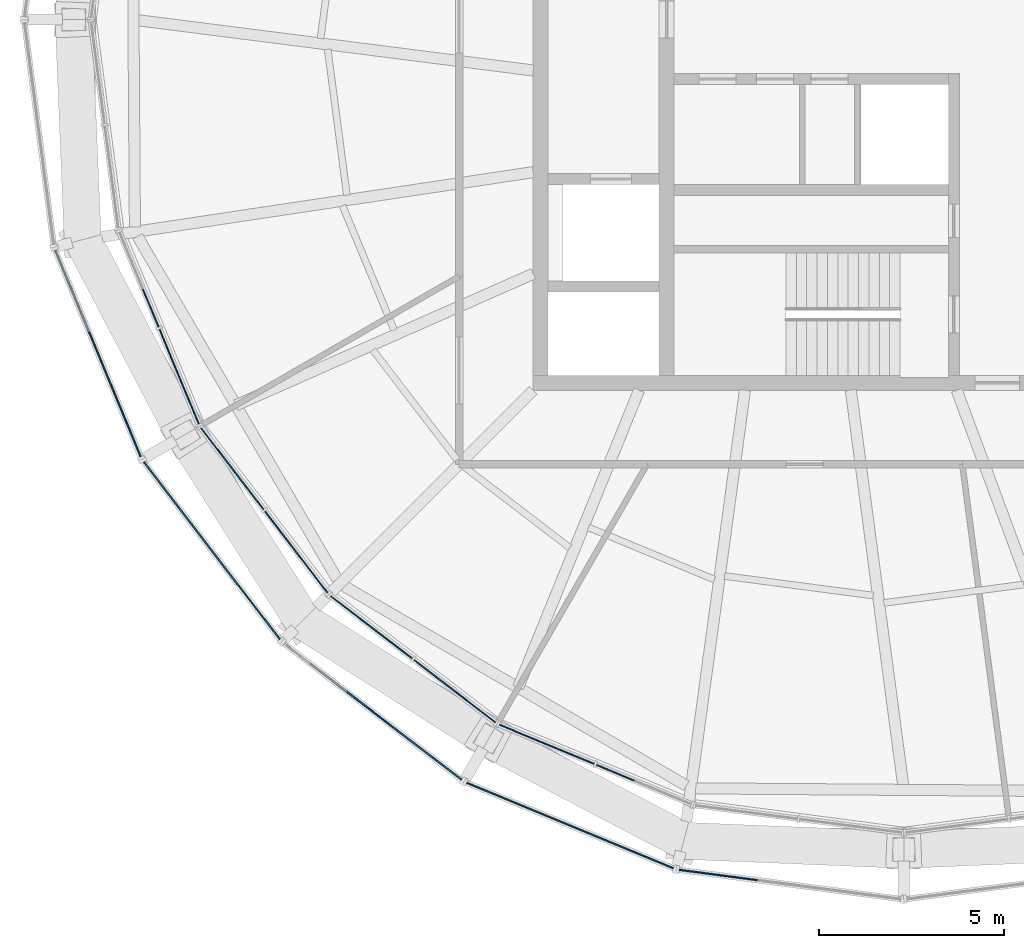
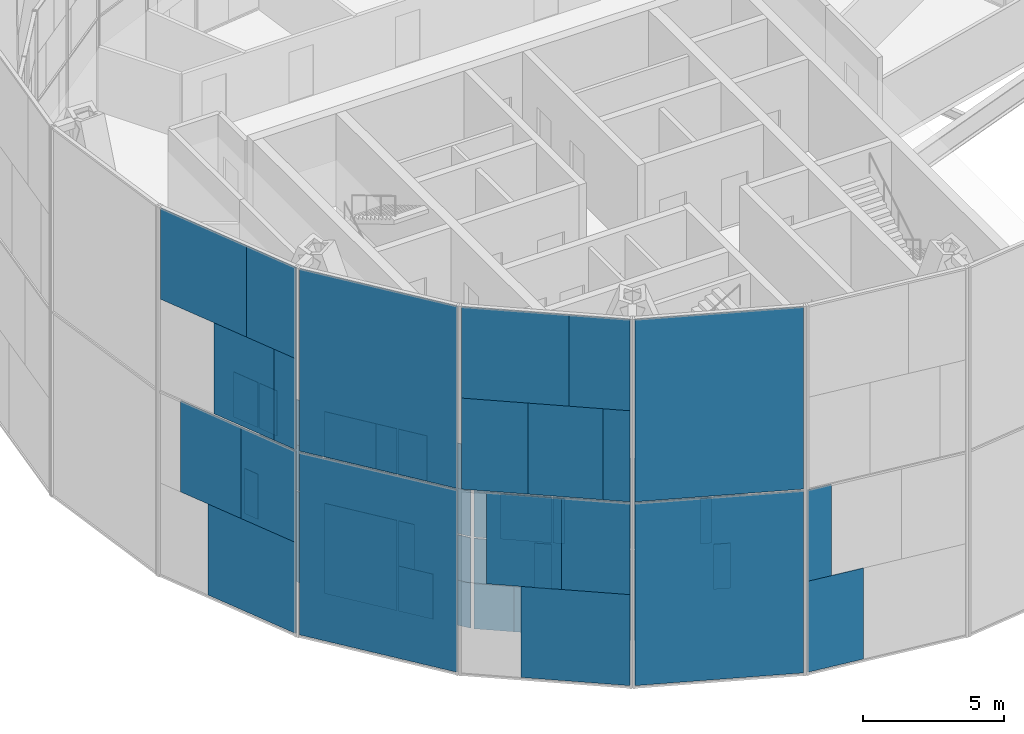
# One storey, part 10 of 22: 61 plates, 9 elements without a shape of their own.
"""IFC4 building model written with IfcOpenShell, lengths in metres."""

import ifcopenshell
import ifcopenshell.guid

model = None  # the IFC model being written
_history = None  # IfcOwnerHistory: only IFC2X3 demands one
_inside = {}  # id of a spatial element -> (the spatial element, [elements in it])
_under = {}  # id of a project, library or spatial element -> (it, [spatial elements below it])
_declared = {}  # id of a project -> (the project, [libraries it declares])
_typed = {}  # id of a type object -> (the type object, [elements of that type])
_made_of = {}  # id of a material, layer set ... -> (it, [elements and type objects made of it])


def new_model(schema):
    """Start an empty IFC model of exactly this schema.

    Asked for "IFC4X3", IfcOpenShell would pick the latest addendum, in which some entities
    have other attributes; the version numbers below select the first issue.
    IFC2X3 requires an IfcOwnerHistory on every rooted entity: one is made here for all.
    """
    global model, _history
    if schema == "IFC4X3":
        model = ifcopenshell.file(schema_version=(4, 3, 0, 0))
    else:
        model = ifcopenshell.file(schema=schema)
    _inside.clear()
    _under.clear()
    _declared.clear()
    _typed.clear()
    _made_of.clear()
    _history = None
    if model.schema == "IFC2X3":
        org = make("IfcOrganization", Name="unknown")
        user = make(
            "IfcPersonAndOrganization",
            ThePerson=make("IfcPerson", FamilyName="unknown"),
            TheOrganization=org,
        )
        app = make(
            "IfcApplication",
            ApplicationDeveloper=org,
            Version="unknown",
            ApplicationFullName="unknown",
            ApplicationIdentifier="unknown",
        )
        _history = make(
            "IfcOwnerHistory",
            OwningUser=user,
            OwningApplication=app,
            ChangeAction="ADDED",
            CreationDate=0,
        )
    return model


def make(cls, **values):
    """One entity of the class cls with the attributes given. An attribute that is None is left unset."""
    return model.create_entity(
        cls, **{name: value for name, value in values.items() if value is not None}
    )


def rooted(cls, **values):
    """An entity with a GlobalId (a new one), such as an element, a storey or a relation."""
    return make(cls, GlobalId=ifcopenshell.guid.new(), OwnerHistory=_history, **values)


def si_unit(unit_type, name, prefix=None):
    """IfcSIUnit, for example si_unit("LENGTHUNIT", "METRE", prefix="MILLI")."""
    return make("IfcSIUnit", UnitType=unit_type, Prefix=prefix, Name=name)


def assignment(units):
    """IfcUnitAssignment: the units of a project."""
    return None if units is None else make("IfcUnitAssignment", Units=units)


def point(xyz):
    """IfcCartesianPoint."""
    return None if xyz is None else make("IfcCartesianPoint", Coordinates=xyz)


def direction(xyz):
    """IfcDirection."""
    return None if xyz is None else make("IfcDirection", DirectionRatios=xyz)


def frame(location, z_axis=None, x_axis=None):
    """IfcAxis2Placement3D, a coordinate frame: its origin and axes. An axis left out is left unset."""
    return make(
        "IfcAxis2Placement3D",
        Location=point(location),
        Axis=direction(z_axis),
        RefDirection=direction(x_axis),
    )


def frame_2d(location, x_axis=None):
    """IfcAxis2Placement2D, a coordinate frame in the plane: its origin and x axis."""
    return make(
        "IfcAxis2Placement2D", Location=point(location), RefDirection=direction(x_axis)
    )


def origin():
    """The frame at (0, 0, 0) with its axes left unset."""
    return frame((0.0, 0.0, 0.0))


def origin_2d():
    """The frame at (0, 0) in the plane with its x axis left unset."""
    return frame_2d((0.0, 0.0))


def place(relative_to, where):
    """IfcLocalPlacement: puts the frame where relative to a parent placement (None: the world)."""
    return make(
        "IfcLocalPlacement", PlacementRelTo=relative_to, RelativePlacement=where
    )


def context(
    kind, dimensions, precision=None, world=None, true_north=None, identifier=None
):
    """IfcGeometricRepresentationContext, for example the 3D "Model" context."""
    return make(
        "IfcGeometricRepresentationContext",
        ContextIdentifier=identifier,
        ContextType=kind,
        CoordinateSpaceDimension=dimensions,
        Precision=precision,
        WorldCoordinateSystem=world,
        TrueNorth=true_north,
    )


def subcontext(parent, identifier, kind, view, scale=None):
    """IfcGeometricRepresentationSubContext, for example "Body" below "Model"."""
    return make(
        "IfcGeometricRepresentationSubContext",
        ContextIdentifier=identifier,
        ContextType=kind,
        ParentContext=parent,
        TargetScale=scale,
        TargetView=view,
    )


def project(units=None, contexts=None):
    """IfcProject with its units and contexts."""
    return rooted(
        "IfcProject",
        Name="project",
        RepresentationContexts=contexts,
        UnitsInContext=assignment(units),
    )


def spatial(cls, under=None, at=None, **own):
    """A site, building, storey or space (cls), placed at a placement, below another one or the project."""
    s = rooted(cls, ObjectPlacement=at, **own)
    if under is not None:
        _under.setdefault(under.id(), (under, []))[1].append(s)
    return s


def profile(cls, at=None, kind="AREA", **sizes):
    """A parametric profile (cls). Its sizes go by their IFC names, for example OverallWidth=200.0."""
    return make(cls, ProfileType=kind, Position=at, **sizes)


def rectangle(**sizes):
    """IfcRectangleProfileDef."""
    return profile("IfcRectangleProfileDef", **sizes)


def extrude(swept, where, along, depth):
    """IfcExtrudedAreaSolid: the profile swept, set in the frame where, extruded along a direction by depth."""
    return make(
        "IfcExtrudedAreaSolid",
        SweptArea=swept,
        Position=where,
        ExtrudedDirection=direction(along),
        Depth=depth,
    )


def shape(context_of_items, identifier, shape_type, items):
    """IfcShapeRepresentation: the items that make up one representation, for example the "Body"."""
    return make(
        "IfcShapeRepresentation",
        ContextOfItems=context_of_items,
        RepresentationIdentifier=identifier,
        RepresentationType=shape_type,
        Items=items,
    )


def material(Name=None, Category=None):
    """IfcMaterial."""
    return make("IfcMaterial", Name=Name, Category=Category)


def layer(
    of_material, thickness, ventilated=None, Name=None, Category=None, Priority=None
):
    """IfcMaterialLayer: one layer of a wall or slab, of a material (None: an air gap)."""
    return make(
        "IfcMaterialLayer",
        Material=of_material,
        LayerThickness=thickness,
        IsVentilated=ventilated,
        Name=Name,
        Category=Category,
        Priority=Priority,
    )


def layer_set(layers, Name=None):
    """IfcMaterialLayerSet."""
    return make("IfcMaterialLayerSet", MaterialLayers=layers, LayerSetName=Name)


def made_of(thing, what):
    """Note that an element or type object is made of a material, layer set ...; save() writes the relation."""
    if what is not None:
        _made_of.setdefault(what.id(), (what, []))[1].append(thing)
    return thing


def type_object(cls, material=None, **own):
    """A type object (cls), such as IfcWallType, which elements share."""
    return made_of(rooted(cls, **own), material)


def element(
    cls,
    number,
    at=None,
    inside=None,
    cuts=None,
    type_object=None,
    material=None,
    context=None,
    identifier="Body",
    shape_type=None,
    held_by="IfcProductDefinitionShape",
    body=None,
    shapes=None,
    **own,
):
    """One element of the class cls, such as IfcWall. Its Tag is "e" and its number.

    at: its placement. inside: the storey or other place that contains it. cuts: it is an
    opening in that element (IfcRelVoidsElement). A single representation is given by context,
    identifier, shape_type and body (its items); several are given by shapes. held_by: the class
    of the entity that holds the representations. save() writes the other relations.
    """
    e = rooted(cls, Tag="e%d" % number, ObjectPlacement=at, **own)
    if body is not None:
        shapes = [shape(context, identifier, shape_type, body)]
    if shapes is not None:
        e.Representation = make(held_by, Representations=shapes)
    if inside is not None:
        _inside.setdefault(inside.id(), (inside, []))[1].append(e)
    if cuts is not None:
        rooted(
            "IfcRelVoidsElement", RelatingBuildingElement=cuts, RelatedOpeningElement=e
        )
    if type_object is not None:
        _typed.setdefault(type_object.id(), (type_object, []))[1].append(e)
    return made_of(e, material)


def aggregate(whole, parts):
    """IfcRelAggregates: a whole, such as a stair, and the parts it consists of."""
    return rooted("IfcRelAggregates", RelatingObject=whole, RelatedObjects=parts)


def save(model, path):
    """Write the relations noted so far, then the file.

    IfcRelAggregates (storeys below a building ...), IfcRelContainedInSpatialStructure (elements
    in a storey), IfcRelDefinesByType, IfcRelAssociatesMaterial and IfcRelDeclares: one each for
    every whole, place, type object, material and project.
    """
    for whole, parts in _under.values():
        aggregate(whole, parts)
    for where, things in _inside.values():
        rooted(
            "IfcRelContainedInSpatialStructure",
            RelatedElements=things,
            RelatingStructure=where,
        )
    for kind, things in _typed.values():
        rooted("IfcRelDefinesByType", RelatedObjects=things, RelatingType=kind)
    for what, things in _made_of.values():
        rooted("IfcRelAssociatesMaterial", RelatedObjects=things, RelatingMaterial=what)
    for by, libraries in _declared.values():
        rooted("IfcRelDeclares", RelatingContext=by, RelatedDefinitions=libraries)
    model.write(path)


model = new_model("IFC4")

# Units and contexts
model_context = context("Model", 3, precision=1e-05, world=origin(), true_north=direction((0.0, 1.0)))
body_context = subcontext(model_context, "Body", "Model", "MODEL_VIEW")
ifc_project = project(units=[si_unit("LENGTHUNIT", "METRE"), si_unit("AREAUNIT", "SQUARE_METRE"), si_unit("VOLUMEUNIT", "CUBIC_METRE"), si_unit("PLANEANGLEUNIT", "RADIAN"), si_unit("MASSUNIT", "GRAM", prefix="KILO")], contexts=[model_context])

# Site, building, storey
site_placement = place(None, origin())
site = spatial("IfcSite", under=ifc_project, at=site_placement, CompositionType="ELEMENT")
building_placement = place(site_placement, origin())
building = spatial("IfcBuilding", under=site, at=building_placement, Name="Golbaran Civic Tower", CompositionType="ELEMENT")
storey_placement = place(building_placement, frame((0.0, 0.0, 264.0)))
storey = spatial("IfcBuildingStorey", under=building, at=storey_placement, Name="L64", CompositionType="ELEMENT", Elevation=264.0)

# Curtain wall, plates
ifc_material_1 = material(Name="Aluminium and glass", Category="aluminium")
curtain_wall_type_1 = type_object("IfcCurtainWallType", Name="INNER SKIN CURTAIN WALL EXECUTIVE", PredefinedType="NOTDEFINED", material=ifc_material_1)
curtain_wall_1_placement = place(storey_placement, origin())
curtain_wall_1 = element("IfcCurtainWall", 1, at=curtain_wall_1_placement, inside=storey, type_object=curtain_wall_type_1, Name="Inner skin L64 facet 14 CW2", ObjectType="INNER SKIN", PredefinedType="USERDEFINED")
ifc_material_2 = material(Name="Clear insulating glass", Category="glass")
ifc_layer_1 = layer(ifc_material_2, 0.031982421875, Name="Clear insulating glass")
ifc_layer_set_1 = layer_set([ifc_layer_1], Name="Clear insulating glass")
plate_type_1 = type_object("IfcPlateType", Name="INNER SKIN CURTAIN WALL EXECUTIVE GLAZED PANEL", PredefinedType="CURTAIN_PANEL", material=ifc_layer_set_1)
plate_1_placement = place(storey_placement, frame((-20.22509765625, -8.01123046875, 2.014892578125), z_axis=(0.0, 0.0, 1.0), x_axis=(0.382683432349, -0.923879532518, 0.0)))
plate_1 = element("IfcPlate", 2, at=plate_1_placement, type_object=plate_type_1, Name="CW2 panel 1.1 part 4", PredefinedType="CURTAIN_PANEL", context=body_context, shape_type="SweptSolid", body=[
    extrude(rectangle(XDim=0.61669921875, YDim=0.031982421875, at=origin_2d()), origin(), (0.0, 0.0, 1.0), 1.955078125),
])
plate_2_placement = place(storey_placement, frame((-19.553466796875, -9.6328125, 0.06005859375), z_axis=(0.0, 0.0, 1.0), x_axis=(0.382683432349, -0.923879532518, 0.0)))
plate_2 = element("IfcPlate", 3, at=plate_2_placement, type_object=plate_type_1, Name="CW2 panel 2.1", PredefinedType="CURTAIN_PANEL", context=body_context, shape_type="SweptSolid", body=[
    extrude(rectangle(XDim=2.773681640625, YDim=0.031982421875, at=origin_2d()), origin(), (0.0, 0.0, 1.0), 3.909912109375),
])
plate_3_placement = place(storey_placement, frame((-19.4765625, -9.818115234375, 4.030029296875), z_axis=(0.0, 0.0, 1.0), x_axis=(0.382683432349, -0.923879532518, 0.0)))
plate_3 = element("IfcPlate", 4, at=plate_3_placement, type_object=plate_type_1, Name="CW2 panel 2.2 part 2", PredefinedType="CURTAIN_PANEL", context=body_context, shape_type="SweptSolid", body=[
    extrude(rectangle(XDim=2.37255859375, YDim=0.031982421875, at=origin_2d()), origin(), (0.0, 0.0, 1.0), 1.955078125),
])
plate_4_placement = place(storey_placement, frame((-19.40185546875, -9.998779296875, 5.98486328125), z_axis=(0.0, 0.0, 1.0), x_axis=(0.382683432349, -0.923879532518, 0.0)))
plate_4 = element("IfcPlate", 5, at=plate_4_placement, type_object=plate_type_1, Name="CW2 panel 2.2 part 4", PredefinedType="CURTAIN_PANEL", context=body_context, shape_type="SweptSolid", body=[
    extrude(rectangle(XDim=1.981689453125, YDim=0.031982421875, at=origin_2d()), origin(), (0.0, 0.0, 1.0), 1.955078125),
])

curtain_wall_2_placement = place(storey_placement, origin())
curtain_wall_2 = element("IfcCurtainWall", 6, at=curtain_wall_2_placement, inside=storey, type_object=curtain_wall_type_1, Name="Inner skin L64 facet 15 CW2", ObjectType="INNER SKIN", PredefinedType="USERDEFINED")
plate_5_placement = place(storey_placement, frame((-18.118896484375, -12.117431640625, 0.06005859375), z_axis=(0.0, 0.0, 1.0), x_axis=(0.608761429133, -0.793353340196, 0.0)))
plate_5 = element("IfcPlate", 7, at=plate_5_placement, type_object=plate_type_1, Name="CW2 panel 1.1", PredefinedType="CURTAIN_PANEL", context=body_context, shape_type="SweptSolid", body=[
    extrude(rectangle(XDim=2.773681640625, YDim=0.031982421875, at=origin_2d()), origin(), (0.0, 0.0, 1.0), 3.909912109375),
])
plate_6_placement = place(storey_placement, frame((-18.2412109375, -11.9580078125, 4.030029296875), z_axis=(0.0, 0.0, 1.0), x_axis=(0.608761429133, -0.793353340196, 0.0)))
plate_6 = element("IfcPlate", 8, at=plate_6_placement, type_object=plate_type_1, Name="CW2 panel 1.2 part 1", PredefinedType="CURTAIN_PANEL", context=body_context, shape_type="SweptSolid", body=[
    extrude(rectangle(XDim=2.3720703125, YDim=0.031982421875, at=origin_2d()), origin(), (0.0, 0.0, 1.0), 1.955078125),
])
plate_7_placement = place(storey_placement, frame((-18.35986328125, -11.80322265625, 5.98486328125), z_axis=(0.0, 0.0, 1.0), x_axis=(0.608761429133, -0.793353340196, 0.0)))
plate_7 = element("IfcPlate", 9, at=plate_7_placement, type_object=plate_type_1, Name="CW2 panel 1.2 part 3", PredefinedType="CURTAIN_PANEL", context=body_context, shape_type="SweptSolid", body=[
    extrude(rectangle(XDim=1.98193359375, YDim=0.031982421875, at=origin_2d()), origin(), (0.0, 0.0, 1.0), 1.955078125),
])
plate_8_placement = place(storey_placement, frame((-16.830322265625, -13.796630859375, 0.06005859375), z_axis=(0.0, 0.0, 1.0), x_axis=(0.608761429133, -0.793353340196, 0.0)))
plate_8 = element("IfcPlate", 10, at=plate_8_placement, type_object=plate_type_1, Name="CW2 panel 2.1 part 1", PredefinedType="CURTAIN_PANEL", context=body_context, shape_type="SweptSolid", body=[
    extrude(rectangle(XDim=1.340087890625, YDim=0.031982421875, at=origin_2d()), origin(), (0.0, 0.0, 1.0), 1.955078125),
])
plate_9_placement = place(storey_placement, frame((-17.05078125, -13.509521484375, 2.014892578125), z_axis=(0.0, 0.0, 1.0), x_axis=(0.608761429133, -0.793353340196, 0.0)))
plate_9 = element("IfcPlate", 11, at=plate_9_placement, type_object=plate_type_1, Name="CW2 panel 2.1 part 3", PredefinedType="CURTAIN_PANEL", context=body_context, shape_type="SweptSolid", body=[
    extrude(rectangle(XDim=0.615966796875, YDim=0.031982421875, at=origin_2d()), origin(), (0.0, 0.0, 1.0), 1.955078125),
])
plate_10_placement = place(storey_placement, frame((-15.837890625, -15.090087890625, 4.030029296875), z_axis=(0.0, 0.0, 1.0), x_axis=(0.608761429133, -0.793353340196, 0.0)))
plate_10 = element("IfcPlate", 12, at=plate_10_placement, type_object=plate_type_1, Name="CW2 panel 2.2 part 2", PredefinedType="CURTAIN_PANEL", context=body_context, shape_type="SweptSolid", body=[
    extrude(rectangle(XDim=0.946533203125, YDim=0.031982421875, at=origin_2d()), origin(), (0.0, 0.0, 1.0), 1.955078125),
])
plate_11_placement = place(storey_placement, frame((-16.057861328125, -14.80322265625, 5.98486328125), z_axis=(0.0, 0.0, 1.0), x_axis=(0.608761429133, -0.793353340196, 0.0)))
plate_11 = element("IfcPlate", 13, at=plate_11_placement, type_object=plate_type_1, Name="CW2 panel 2.2 part 4", PredefinedType="CURTAIN_PANEL", context=body_context, shape_type="SweptSolid", body=[
    extrude(rectangle(XDim=1.669677734375, YDim=0.031982421875, at=origin_2d()), origin(), (0.0, 0.0, 1.0), 1.955078125),
])

curtain_wall_3_placement = place(storey_placement, origin())
curtain_wall_3 = element("IfcCurtainWall", 14, at=curtain_wall_3_placement, inside=storey, type_object=curtain_wall_type_1, Name="Inner skin L64 facet 16 CW2", ObjectType="INNER SKIN", PredefinedType="USERDEFINED")
plate_12_placement = place(storey_placement, frame((-13.796630859375, -16.83056640625, 0.06005859375), z_axis=(0.0, 0.0, 1.0), x_axis=(0.793353340196, -0.608761429133, 0.0)))
plate_12 = element("IfcPlate", 15, at=plate_12_placement, type_object=plate_type_1, Name="CW2 panel 1.1 part 2", PredefinedType="CURTAIN_PANEL", context=body_context, shape_type="SweptSolid", body=[
    extrude(rectangle(XDim=1.339599609375, YDim=0.031982421875, at=origin_2d()), origin(), (0.0, 0.0, 1.0), 1.955078125),
])
plate_13_placement = place(storey_placement, frame((-13.509765625, -17.050537109375, 2.014892578125), z_axis=(0.0, 0.0, 1.0), x_axis=(0.793353340196, -0.608761429133, 0.0)))
plate_13 = element("IfcPlate", 16, at=plate_13_placement, type_object=plate_type_1, Name="CW2 panel 1.1 part 4", PredefinedType="CURTAIN_PANEL", context=body_context, shape_type="SweptSolid", body=[
    extrude(rectangle(XDim=0.61669921875, YDim=0.031982421875, at=origin_2d()), origin(), (0.0, 0.0, 1.0), 1.955078125),
])
plate_14_placement = place(storey_placement, frame((-15.09033203125, -15.837646484375, 4.030029296875), z_axis=(0.0, 0.0, 1.0), x_axis=(0.793353340196, -0.608761429133, 0.0)))
plate_14 = element("IfcPlate", 17, at=plate_14_placement, type_object=plate_type_1, Name="CW2 panel 1.2 part 1", PredefinedType="CURTAIN_PANEL", context=body_context, shape_type="SweptSolid", body=[
    extrude(rectangle(XDim=0.946044921875, YDim=0.031982421875, at=origin_2d()), origin(), (0.0, 0.0, 1.0), 1.955078125),
])
plate_15_placement = place(storey_placement, frame((-14.803466796875, -16.057861328125, 5.98486328125), z_axis=(0.0, 0.0, 1.0), x_axis=(0.793353340196, -0.608761429133, 0.0)))
plate_15 = element("IfcPlate", 18, at=plate_15_placement, type_object=plate_type_1, Name="CW2 panel 1.2 part 3", PredefinedType="CURTAIN_PANEL", context=body_context, shape_type="SweptSolid", body=[
    extrude(rectangle(XDim=1.6689453125, YDim=0.031982421875, at=origin_2d()), origin(), (0.0, 0.0, 1.0), 1.955078125),
])
plate_16_placement = place(storey_placement, frame((-12.117431640625, -18.118896484375, 0.06005859375), z_axis=(0.0, 0.0, 1.0), x_axis=(0.793353340196, -0.608761429133, 0.0)))
plate_16 = element("IfcPlate", 19, at=plate_16_placement, type_object=plate_type_1, Name="CW2 panel 2.1", PredefinedType="CURTAIN_PANEL", context=body_context, shape_type="SweptSolid", body=[
    extrude(rectangle(XDim=2.773681640625, YDim=0.031982421875, at=origin_2d()), origin(), (0.0, 0.0, 1.0), 3.909912109375),
])
plate_17_placement = place(storey_placement, frame((-11.958251953125, -18.240966796875, 4.030029296875), z_axis=(0.0, 0.0, 1.0), x_axis=(0.793353340196, -0.608761429133, 0.0)))
plate_17 = element("IfcPlate", 20, at=plate_17_placement, type_object=plate_type_1, Name="CW2 panel 2.2 part 2", PredefinedType="CURTAIN_PANEL", context=body_context, shape_type="SweptSolid", body=[
    extrude(rectangle(XDim=2.37255859375, YDim=0.031982421875, at=origin_2d()), origin(), (0.0, 0.0, 1.0), 1.955078125),
])
plate_18_placement = place(storey_placement, frame((-11.80322265625, -18.360107421875, 5.98486328125), z_axis=(0.0, 0.0, 1.0), x_axis=(0.793353340196, -0.608761429133, 0.0)))
plate_18 = element("IfcPlate", 21, at=plate_18_placement, type_object=plate_type_1, Name="CW2 panel 2.2 part 4", PredefinedType="CURTAIN_PANEL", context=body_context, shape_type="SweptSolid", body=[
    extrude(rectangle(XDim=1.981689453125, YDim=0.031982421875, at=origin_2d()), origin(), (0.0, 0.0, 1.0), 1.955078125),
])

curtain_wall_4_placement = place(storey_placement, origin())
curtain_wall_4 = element("IfcCurtainWall", 22, at=curtain_wall_4_placement, inside=storey, type_object=curtain_wall_type_1, Name="Inner skin L64 facet 17 CW2", ObjectType="INNER SKIN", PredefinedType="USERDEFINED")
plate_19_placement = place(storey_placement, frame((-9.6328125, -19.553466796875, 0.06005859375), z_axis=(0.0, 0.0, 1.0), x_axis=(0.923879532518, -0.382683432349, 0.0)))
plate_19 = element("IfcPlate", 23, at=plate_19_placement, type_object=plate_type_1, Name="CW2 panel 1.1", PredefinedType="CURTAIN_PANEL", context=body_context, shape_type="SweptSolid", body=[
    extrude(rectangle(XDim=2.773681640625, YDim=0.031982421875, at=origin_2d()), origin(), (0.0, 0.0, 1.0), 3.909912109375),
])
plate_20_placement = place(storey_placement, frame((-9.818359375, -19.4765625, 4.030029296875), z_axis=(0.0, 0.0, 1.0), x_axis=(0.923879532518, -0.382683432349, 0.0)))
plate_20 = element("IfcPlate", 24, at=plate_20_placement, type_object=plate_type_1, Name="CW2 panel 1.2 part 1", PredefinedType="CURTAIN_PANEL", context=body_context, shape_type="SweptSolid", body=[
    extrude(rectangle(XDim=2.3720703125, YDim=0.031982421875, at=origin_2d()), origin(), (0.0, 0.0, 1.0), 1.955078125),
])
plate_21_placement = place(storey_placement, frame((-9.99853515625, -19.40185546875, 5.98486328125), z_axis=(0.0, 0.0, 1.0), x_axis=(0.923879532518, -0.382683432349, 0.0)))
plate_21 = element("IfcPlate", 25, at=plate_21_placement, type_object=plate_type_1, Name="CW2 panel 1.2 part 3", PredefinedType="CURTAIN_PANEL", context=body_context, shape_type="SweptSolid", body=[
    extrude(rectangle(XDim=1.98193359375, YDim=0.031982421875, at=origin_2d()), origin(), (0.0, 0.0, 1.0), 1.955078125),
])
plate_22_placement = place(storey_placement, frame((-8.011474609375, -20.224853515625, 2.014892578125), z_axis=(0.0, 0.0, 1.0), x_axis=(0.923879532518, -0.382683432349, 0.0)))
plate_22 = element("IfcPlate", 26, at=plate_22_placement, type_object=plate_type_1, Name="CW2 panel 2.1 part 3", PredefinedType="CURTAIN_PANEL", context=body_context, shape_type="SweptSolid", body=[
    extrude(rectangle(XDim=0.615966796875, YDim=0.031982421875, at=origin_2d()), origin(), (0.0, 0.0, 1.0), 1.955078125),
])

# Plate
ifc_material_3 = material(Name="Aluminium faced opaque infill panel", Category="aluminium")
ifc_layer_2 = layer(ifc_material_3, 0.031982421875, Name="Aluminium faced opaque infill panel")
ifc_layer_set_2 = layer_set([ifc_layer_2], Name="Aluminium faced opaque infill panel")
plate_type_2 = type_object("IfcPlateType", Name="INNER SKIN CURTAIN WALL EXECUTIVE OPAQUE INFILL PANEL", PredefinedType="CURTAIN_PANEL", material=ifc_layer_set_2)
plate_23_placement = place(storey_placement, frame((-20.318359375, -7.785888671875, 5.98486328125), z_axis=(0.0, 0.0, 1.0), x_axis=(0.382683432349, -0.923879532518, 0.0)))
plate_23 = element("IfcPlate", 27, at=plate_23_placement, type_object=plate_type_2, Name="CW2 infill panel 1.2 part 4", PredefinedType="CURTAIN_PANEL", context=body_context, shape_type="SweptSolid", body=[
    extrude(rectangle(XDim=1.1044921875, YDim=0.031982421875, at=origin_2d()), origin(), (0.0, 0.0, 1.0), 1.955078125),
])

plate_24_placement = place(storey_placement, frame((-20.00732421875, -8.536865234375, 4.030029296875), z_axis=(0.0, 0.0, 1.0), x_axis=(0.382683432349, -0.923879532518, 0.0)))
plate_24 = element("IfcPlate", 28, at=plate_24_placement, type_object=plate_type_2, Name="CW2 infill panel 2.2 part 1", PredefinedType="CURTAIN_PANEL", context=body_context, shape_type="SweptSolid", body=[
    extrude(rectangle(XDim=0.40087890625, YDim=0.031982421875, at=origin_2d()), origin(), (0.0, 0.0, 1.0), 1.955078125),
])

plate_25_placement = place(storey_placement, frame((-19.9326171875, -8.717529296875, 5.98486328125), z_axis=(0.0, 0.0, 1.0), x_axis=(0.382683432349, -0.923879532518, 0.0)))
plate_25 = element("IfcPlate", 29, at=plate_25_placement, type_object=plate_type_2, Name="CW2 infill panel 2.2 part 3", PredefinedType="CURTAIN_PANEL", context=body_context, shape_type="SweptSolid", body=[
    extrude(rectangle(XDim=0.7919921875, YDim=0.031982421875, at=origin_2d()), origin(), (0.0, 0.0, 1.0), 1.955078125),
])

aggregate(curtain_wall_1, [plate_1, plate_23, plate_2, plate_24, plate_3, plate_25, plate_4])

plate_26_placement = place(storey_placement, frame((-17.39697265625, -13.058349609375, 4.030029296875), z_axis=(0.0, 0.0, 1.0), x_axis=(0.608761429133, -0.793353340196, 0.0)))
plate_26 = element("IfcPlate", 30, at=plate_26_placement, type_object=plate_type_2, Name="CW2 infill panel 1.2 part 2", PredefinedType="CURTAIN_PANEL", context=body_context, shape_type="SweptSolid", body=[
    extrude(rectangle(XDim=0.401611328125, YDim=0.031982421875, at=origin_2d()), origin(), (0.0, 0.0, 1.0), 1.955078125),
])

plate_27_placement = place(storey_placement, frame((-17.515625, -12.903564453125, 5.98486328125), z_axis=(0.0, 0.0, 1.0), x_axis=(0.608761429133, -0.793353340196, 0.0)))
plate_27 = element("IfcPlate", 31, at=plate_27_placement, type_object=plate_type_2, Name="CW2 infill panel 1.2 part 4", PredefinedType="CURTAIN_PANEL", context=body_context, shape_type="SweptSolid", body=[
    extrude(rectangle(XDim=0.79150390625, YDim=0.031982421875, at=origin_2d()), origin(), (0.0, 0.0, 1.0), 1.955078125),
])

plate_28_placement = place(storey_placement, frame((-15.986083984375, -14.89697265625, 0.06005859375), z_axis=(0.0, 0.0, 1.0), x_axis=(0.608761429133, -0.793353340196, 0.0)))
plate_28 = element("IfcPlate", 32, at=plate_28_placement, type_object=plate_type_2, Name="CW2 infill panel 2.1 part 2", PredefinedType="CURTAIN_PANEL", context=body_context, shape_type="SweptSolid", body=[
    extrude(rectangle(XDim=1.43359375, YDim=0.031982421875, at=origin_2d()), origin(), (0.0, 0.0, 1.0), 1.955078125),
])

plate_29_placement = place(storey_placement, frame((-16.20654296875, -14.609619140625, 2.014892578125), z_axis=(0.0, 0.0, 1.0), x_axis=(0.608761429133, -0.793353340196, 0.0)))
plate_29 = element("IfcPlate", 33, at=plate_29_placement, type_object=plate_type_2, Name="CW2 infill panel 2.1 part 4", PredefinedType="CURTAIN_PANEL", context=body_context, shape_type="SweptSolid", body=[
    extrude(rectangle(XDim=2.15771484375, YDim=0.031982421875, at=origin_2d()), origin(), (0.0, 0.0, 1.0), 1.955078125),
])

plate_30_placement = place(storey_placement, frame((-16.68212890625, -13.989990234375, 4.030029296875), z_axis=(0.0, 0.0, 1.0), x_axis=(0.608761429133, -0.793353340196, 0.0)))
plate_30 = element("IfcPlate", 34, at=plate_30_placement, type_object=plate_type_2, Name="CW2 infill panel 2.2 part 1", PredefinedType="CURTAIN_PANEL", context=body_context, shape_type="SweptSolid", body=[
    extrude(rectangle(XDim=1.826904296875, YDim=0.031982421875, at=origin_2d()), origin(), (0.0, 0.0, 1.0), 1.955078125),
])

plate_31_placement = place(storey_placement, frame((-16.902099609375, -13.703125, 5.98486328125), z_axis=(0.0, 0.0, 1.0), x_axis=(0.608761429133, -0.793353340196, 0.0)))
plate_31 = element("IfcPlate", 35, at=plate_31_placement, type_object=plate_type_2, Name="CW2 infill panel 2.2 part 3", PredefinedType="CURTAIN_PANEL", context=body_context, shape_type="SweptSolid", body=[
    extrude(rectangle(XDim=1.10400390625, YDim=0.031982421875, at=origin_2d()), origin(), (0.0, 0.0, 1.0), 1.955078125),
])

aggregate(curtain_wall_2, [plate_5, plate_6, plate_26, plate_7, plate_27, plate_8, plate_28, plate_9, plate_29, plate_30, plate_10, plate_31, plate_11])

plate_32_placement = place(storey_placement, frame((-14.896728515625, -15.986328125, 0.06005859375), z_axis=(0.0, 0.0, 1.0), x_axis=(0.793353340196, -0.608761429133, 0.0)))
plate_32 = element("IfcPlate", 36, at=plate_32_placement, type_object=plate_type_2, Name="CW2 infill panel 1.1 part 1", PredefinedType="CURTAIN_PANEL", context=body_context, shape_type="SweptSolid", body=[
    extrude(rectangle(XDim=1.43408203125, YDim=0.031982421875, at=origin_2d()), origin(), (0.0, 0.0, 1.0), 1.955078125),
])

plate_33_placement = place(storey_placement, frame((-14.60986328125, -16.206298828125, 2.014892578125), z_axis=(0.0, 0.0, 1.0), x_axis=(0.793353340196, -0.608761429133, 0.0)))
plate_33 = element("IfcPlate", 37, at=plate_33_placement, type_object=plate_type_2, Name="CW2 infill panel 1.1 part 3", PredefinedType="CURTAIN_PANEL", context=body_context, shape_type="SweptSolid", body=[
    extrude(rectangle(XDim=2.156982421875, YDim=0.031982421875, at=origin_2d()), origin(), (0.0, 0.0, 1.0), 1.955078125),
])

plate_34_placement = place(storey_placement, frame((-13.990234375, -16.681884765625, 4.030029296875), z_axis=(0.0, 0.0, 1.0), x_axis=(0.793353340196, -0.608761429133, 0.0)))
plate_34 = element("IfcPlate", 38, at=plate_34_placement, type_object=plate_type_2, Name="CW2 infill panel 1.2 part 2", PredefinedType="CURTAIN_PANEL", context=body_context, shape_type="SweptSolid", body=[
    extrude(rectangle(XDim=1.82763671875, YDim=0.031982421875, at=origin_2d()), origin(), (0.0, 0.0, 1.0), 1.955078125),
])

plate_35_placement = place(storey_placement, frame((-13.703369140625, -16.902099609375, 5.98486328125), z_axis=(0.0, 0.0, 1.0), x_axis=(0.793353340196, -0.608761429133, 0.0)))
plate_35 = element("IfcPlate", 39, at=plate_35_placement, type_object=plate_type_2, Name="CW2 infill panel 1.2 part 4", PredefinedType="CURTAIN_PANEL", context=body_context, shape_type="SweptSolid", body=[
    extrude(rectangle(XDim=1.1044921875, YDim=0.031982421875, at=origin_2d()), origin(), (0.0, 0.0, 1.0), 1.955078125),
])

plate_36_placement = place(storey_placement, frame((-13.05859375, -17.396728515625, 4.030029296875), z_axis=(0.0, 0.0, 1.0), x_axis=(0.793353340196, -0.608761429133, 0.0)))
plate_36 = element("IfcPlate", 40, at=plate_36_placement, type_object=plate_type_2, Name="CW2 infill panel 2.2 part 1", PredefinedType="CURTAIN_PANEL", context=body_context, shape_type="SweptSolid", body=[
    extrude(rectangle(XDim=0.40087890625, YDim=0.031982421875, at=origin_2d()), origin(), (0.0, 0.0, 1.0), 1.955078125),
])

plate_37_placement = place(storey_placement, frame((-12.9033203125, -17.515869140625, 5.98486328125), z_axis=(0.0, 0.0, 1.0), x_axis=(0.793353340196, -0.608761429133, 0.0)))
plate_37 = element("IfcPlate", 41, at=plate_37_placement, type_object=plate_type_2, Name="CW2 infill panel 2.2 part 3", PredefinedType="CURTAIN_PANEL", context=body_context, shape_type="SweptSolid", body=[
    extrude(rectangle(XDim=0.7919921875, YDim=0.031982421875, at=origin_2d()), origin(), (0.0, 0.0, 1.0), 1.955078125),
])

aggregate(curtain_wall_3, [plate_32, plate_12, plate_33, plate_13, plate_14, plate_34, plate_15, plate_35, plate_16, plate_36, plate_17, plate_37, plate_18])

plate_38_placement = place(storey_placement, frame((-8.537109375, -20.00732421875, 4.030029296875), z_axis=(0.0, 0.0, 1.0), x_axis=(0.923879532518, -0.382683432349, 0.0)))
plate_38 = element("IfcPlate", 42, at=plate_38_placement, type_object=plate_type_2, Name="CW2 infill panel 1.2 part 2", PredefinedType="CURTAIN_PANEL", context=body_context, shape_type="SweptSolid", body=[
    extrude(rectangle(XDim=0.401611328125, YDim=0.031982421875, at=origin_2d()), origin(), (0.0, 0.0, 1.0), 1.955078125),
])

plate_39_placement = place(storey_placement, frame((-8.71728515625, -19.9326171875, 5.98486328125), z_axis=(0.0, 0.0, 1.0), x_axis=(0.923879532518, -0.382683432349, 0.0)))
plate_39 = element("IfcPlate", 43, at=plate_39_placement, type_object=plate_type_2, Name="CW2 infill panel 1.2 part 4", PredefinedType="CURTAIN_PANEL", context=body_context, shape_type="SweptSolid", body=[
    extrude(rectangle(XDim=0.79150390625, YDim=0.031982421875, at=origin_2d()), origin(), (0.0, 0.0, 1.0), 1.955078125),
])

plate_40_placement = place(storey_placement, frame((-7.7861328125, -20.318359375, 5.98486328125), z_axis=(0.0, 0.0, 1.0), x_axis=(0.923879532518, -0.382683432349, 0.0)))
plate_40 = element("IfcPlate", 44, at=plate_40_placement, type_object=plate_type_2, Name="CW2 infill panel 2.2 part 3", PredefinedType="CURTAIN_PANEL", context=body_context, shape_type="SweptSolid", body=[
    extrude(rectangle(XDim=1.10400390625, YDim=0.031982421875, at=origin_2d()), origin(), (0.0, 0.0, 1.0), 1.955078125),
])

aggregate(curtain_wall_4, [plate_19, plate_20, plate_38, plate_21, plate_39, plate_22, plate_40])

# Curtain wall, plates
curtain_wall_type_2 = type_object("IfcCurtainWallType", Name="OUTER SKIN TERRACOTTA SCREEN", PredefinedType="NOTDEFINED", material=ifc_material_1)
curtain_wall_5_placement = place(storey_placement, origin())
curtain_wall_5 = element("IfcCurtainWall", 45, at=curtain_wall_5_placement, inside=storey, type_object=curtain_wall_type_2, Name="Outer skin L64 facet 14 CW3", ObjectType="OUTER SKIN", PredefinedType="USERDEFINED")
ifc_material_4 = material(Name="Clear laminated glass", Category="glass")
ifc_layer_3 = layer(ifc_material_4, 0.0400390625, Name="Clear laminated glass")
ifc_layer_set_3 = layer_set([ifc_layer_3], Name="Clear laminated glass")
plate_type_3 = type_object("IfcPlateType", Name="OUTER SKIN CLEAR GLASS PANEL", PredefinedType="CURTAIN_PANEL", material=ifc_layer_set_3)
plate_41_placement = place(storey_placement, frame((-21.336181640625, -9.989501953125, -0.6298828125), z_axis=(0.0, 0.0, 1.0), x_axis=(0.382683432333, -0.923879532525, 0.0)))
plate_41 = element("IfcPlate", 46, at=plate_41_placement, type_object=plate_type_3, Name="CW3 panel 1.1 part 2", PredefinedType="CURTAIN_PANEL", context=body_context, shape_type="SweptSolid", body=[
    extrude(rectangle(XDim=3.908935546875, YDim=0.0400390625, at=origin_2d()), origin(), (0.0, 0.0, 1.0), 3.93994140625),
])
plate_42_placement = place(storey_placement, frame((-21.057373046875, -10.66259765625, 3.31005859375), z_axis=(0.0, 0.0, 1.0), x_axis=(0.382683432333, -0.923879532525, 0.0)))
plate_42 = element("IfcPlate", 47, at=plate_42_placement, type_object=plate_type_3, Name="CW3 panel 1.1 part 5", PredefinedType="CURTAIN_PANEL", context=body_context, shape_type="SweptSolid", body=[
    extrude(rectangle(XDim=2.451904296875, YDim=0.0400390625, at=origin_2d()), origin(), (0.0, 0.0, 1.0), 3.93994140625),
])
plate_43_placement = place(storey_placement, frame((-20.77294921875, -11.349365234375, 7.330078125), z_axis=(0.0, 0.0, 1.0), x_axis=(0.382683432333, -0.923879532525, 0.0)))
plate_43 = element("IfcPlate", 48, at=plate_43_placement, type_object=plate_type_3, Name="CW3 panel 1.2 part 3", PredefinedType="CURTAIN_PANEL", context=body_context, shape_type="SweptSolid", body=[
    extrude(rectangle(XDim=0.96484375, YDim=0.0400390625, at=origin_2d()), origin(), (0.0, 0.0, 1.0), 3.93994140625),
])
plate_44_placement = place(storey_placement, frame((-22.161376953125, -7.9970703125, 11.27001953125), z_axis=(0.0, 0.0, 1.0), x_axis=(0.382683432333, -0.923879532525, 0.0)))
plate_44 = element("IfcPlate", 49, at=plate_44_placement, type_object=plate_type_3, Name="CW3 panel 1.2 part 4", PredefinedType="CURTAIN_PANEL", context=body_context, shape_type="SweptSolid", body=[
    extrude(rectangle(XDim=3.85205078125, YDim=0.0400390625, at=origin_2d()), origin(), (0.0, 0.0, 1.0), 3.93994140625),
])

curtain_wall_6_placement = place(storey_placement, origin())
curtain_wall_6 = element("IfcCurtainWall", 50, at=curtain_wall_6_placement, inside=storey, type_object=curtain_wall_type_2, Name="Outer skin L64 facet 16 CW3", ObjectType="OUTER SKIN", PredefinedType="USERDEFINED")
plate_45_placement = place(storey_placement, frame((-13.48291015625, -19.3193359375, -0.6298828125), z_axis=(0.0, 0.0, 1.0), x_axis=(0.793353340323, -0.608761428967, 0.0)))
plate_45 = element("IfcPlate", 51, at=plate_45_placement, type_object=plate_type_3, Name="CW3 panel 1.1 part 2", PredefinedType="CURTAIN_PANEL", context=body_context, shape_type="SweptSolid", body=[
    extrude(rectangle(XDim=3.908935546875, YDim=0.0400390625, at=origin_2d()), origin(), (0.0, 0.0, 1.0), 3.93994140625),
])
plate_46_placement = place(storey_placement, frame((-12.905029296875, -19.7626953125, 3.31005859375), z_axis=(0.0, 0.0, 1.0), x_axis=(0.793353340323, -0.608761428967, 0.0)))
plate_46 = element("IfcPlate", 52, at=plate_46_placement, type_object=plate_type_3, Name="CW3 panel 1.1 part 5", PredefinedType="CURTAIN_PANEL", context=body_context, shape_type="SweptSolid", body=[
    extrude(rectangle(XDim=2.451904296875, YDim=0.0400390625, at=origin_2d()), origin(), (0.0, 0.0, 1.0), 3.93994140625),
])
plate_47_placement = place(storey_placement, frame((-15.776611328125, -17.559326171875, 7.330078125), z_axis=(0.0, 0.0, 1.0), x_axis=(0.793353340323, -0.608761428967, 0.0)))
plate_47 = element("IfcPlate", 53, at=plate_47_placement, type_object=plate_type_3, Name="CW3 panel 1.2 part 1", PredefinedType="CURTAIN_PANEL", context=body_context, shape_type="SweptSolid", body=[
    extrude(rectangle(XDim=2.383056640625, YDim=0.0400390625, at=origin_2d()), origin(), (0.0, 0.0, 1.0), 3.93994140625),
])
plate_48_placement = place(storey_placement, frame((-12.315185546875, -20.21533203125, 7.330078125), z_axis=(0.0, 0.0, 1.0), x_axis=(0.793353340323, -0.608761428967, 0.0)))
plate_48 = element("IfcPlate", 54, at=plate_48_placement, type_object=plate_type_3, Name="CW3 panel 1.2 part 3", PredefinedType="CURTAIN_PANEL", context=body_context, shape_type="SweptSolid", body=[
    extrude(rectangle(XDim=0.96484375, YDim=0.0400390625, at=origin_2d()), origin(), (0.0, 0.0, 1.0), 3.93994140625),
])
plate_49_placement = place(storey_placement, frame((-15.19384765625, -18.006591796875, 11.27001953125), z_axis=(0.0, 0.0, 1.0), x_axis=(0.793353340323, -0.608761428967, 0.0)))
plate_49 = element("IfcPlate", 55, at=plate_49_placement, type_object=plate_type_3, Name="CW3 panel 1.2 part 4", PredefinedType="CURTAIN_PANEL", context=body_context, shape_type="SweptSolid", body=[
    extrude(rectangle(XDim=3.85205078125, YDim=0.0400390625, at=origin_2d()), origin(), (0.0, 0.0, 1.0), 3.93994140625),
])

# Curtain wall, plate
curtain_wall_7_placement = place(storey_placement, origin())
curtain_wall_7 = element("IfcCurtainWall", 56, at=curtain_wall_7_placement, inside=storey, type_object=curtain_wall_type_2, Name="Outer skin L64 facet 18 CW3", ObjectType="OUTER SKIN", PredefinedType="USERDEFINED")
plate_50_placement = place(storey_placement, frame((-5.620849609375, -22.998046875, 3.31005859375), z_axis=(0.0, 0.0, 1.0), x_axis=(0.991444861365, -0.130526192289, 0.0)))
plate_50 = element("IfcPlate", 57, at=plate_50_placement, type_object=plate_type_3, Name="CW3 panel 1.1 part 3", PredefinedType="CURTAIN_PANEL", context=body_context, shape_type="SweptSolid", body=[
    extrude(rectangle(XDim=0.89501953125, YDim=0.0400390625, at=origin_2d()), origin(), (0.0, 0.0, 1.0), 3.93994140625),
])

# Plate
ifc_material_5 = material(Name="Terracotta baguette screen", Category="masonry")
ifc_layer_4 = layer(ifc_material_5, 0.0400390625, Name="Terracotta baguette screen")
ifc_layer_set_4 = layer_set([ifc_layer_4], Name="Terracotta baguette screen")
plate_type_4 = type_object("IfcPlateType", Name="OUTER SKIN TERRACOTTA INFILL PANEL", PredefinedType="CURTAIN_PANEL", material=ifc_layer_set_4)
plate_51_placement = place(storey_placement, frame((-22.041259765625, -8.287353515625, 3.31005859375), z_axis=(0.0, 0.0, 1.0), x_axis=(0.382683432333, -0.923879532525, 0.0)))
plate_51 = element("IfcPlate", 58, at=plate_51_placement, type_object=plate_type_4, Name="CW3 infill panel 1.1 part 4", PredefinedType="CURTAIN_PANEL", context=body_context, shape_type="SweptSolid", body=[
    extrude(rectangle(XDim=2.68994140625, YDim=0.0400390625, at=origin_2d()), origin(), (0.0, 0.0, 1.0), 3.93994140625),
])

plate_52_placement = place(storey_placement, frame((-21.47216796875, -9.66162109375, 7.330078125), z_axis=(0.0, 0.0, 1.0), x_axis=(0.382683432333, -0.923879532525, 0.0)))
plate_52 = element("IfcPlate", 59, at=plate_52_placement, type_object=plate_type_4, Name="CW3 infill panel 1.2 part 2", PredefinedType="CURTAIN_PANEL", context=body_context, shape_type="SweptSolid", body=[
    extrude(rectangle(XDim=2.68896484375, YDim=0.0400390625, at=origin_2d()), origin(), (0.0, 0.0, 1.0), 3.93994140625),
])

plate_53_placement = place(storey_placement, frame((-21.00634765625, -10.785888671875, 11.27001953125), z_axis=(0.0, 0.0, 1.0), x_axis=(0.382683432333, -0.923879532525, 0.0)))
plate_53 = element("IfcPlate", 60, at=plate_53_placement, type_object=plate_type_4, Name="CW3 infill panel 1.2 part 5", PredefinedType="CURTAIN_PANEL", context=body_context, shape_type="SweptSolid", body=[
    extrude(rectangle(XDim=2.184814453125, YDim=0.0400390625, at=origin_2d()), origin(), (0.0, 0.0, 1.0), 3.93994140625),
])

aggregate(curtain_wall_5, [plate_41, plate_51, plate_42, plate_52, plate_43, plate_44, plate_53])

plate_54_placement = place(storey_placement, frame((-14.94482421875, -18.197509765625, 3.31005859375), z_axis=(0.0, 0.0, 1.0), x_axis=(0.793353340323, -0.608761428967, 0.0)))
plate_54 = element("IfcPlate", 61, at=plate_54_placement, type_object=plate_type_4, Name="CW3 infill panel 1.1 part 4", PredefinedType="CURTAIN_PANEL", context=body_context, shape_type="SweptSolid", body=[
    extrude(rectangle(XDim=2.68994140625, YDim=0.0400390625, at=origin_2d()), origin(), (0.0, 0.0, 1.0), 3.93994140625),
])

plate_55_placement = place(storey_placement, frame((-13.7646484375, -19.103271484375, 7.330078125), z_axis=(0.0, 0.0, 1.0), x_axis=(0.793353340323, -0.608761428967, 0.0)))
plate_55 = element("IfcPlate", 62, at=plate_55_placement, type_object=plate_type_4, Name="CW3 infill panel 1.2 part 2", PredefinedType="CURTAIN_PANEL", context=body_context, shape_type="SweptSolid", body=[
    extrude(rectangle(XDim=2.68896484375, YDim=0.0400390625, at=origin_2d()), origin(), (0.0, 0.0, 1.0), 3.93994140625),
])

plate_56_placement = place(storey_placement, frame((-12.799072265625, -19.843994140625, 11.27001953125), z_axis=(0.0, 0.0, 1.0), x_axis=(0.793353340323, -0.608761428967, 0.0)))
plate_56 = element("IfcPlate", 63, at=plate_56_placement, type_object=plate_type_4, Name="CW3 infill panel 1.2 part 5", PredefinedType="CURTAIN_PANEL", context=body_context, shape_type="SweptSolid", body=[
    extrude(rectangle(XDim=2.184814453125, YDim=0.0400390625, at=origin_2d()), origin(), (0.0, 0.0, 1.0), 3.93994140625),
])

aggregate(curtain_wall_6, [plate_45, plate_54, plate_46, plate_47, plate_55, plate_48, plate_49, plate_56])

plate_57_placement = place(storey_placement, frame((-5.009521484375, -23.078369140625, -0.6298828125), z_axis=(0.0, 0.0, 1.0), x_axis=(0.991444861365, -0.130526192289, 0.0)))
plate_57 = element("IfcPlate", 64, at=plate_57_placement, type_object=plate_type_4, Name="CW3 infill panel 1.1 part 1", PredefinedType="CURTAIN_PANEL", context=body_context, shape_type="SweptSolid", body=[
    extrude(rectangle(XDim=2.1279296875, YDim=0.0400390625, at=origin_2d()), origin(), (0.0, 0.0, 1.0), 3.93994140625),
])

aggregate(curtain_wall_7, [plate_57, plate_50])

# Curtain wall, plates
curtain_wall_8_placement = place(storey_placement, origin())
curtain_wall_8 = element("IfcCurtainWall", 65, at=curtain_wall_8_placement, inside=storey, type_object=curtain_wall_type_2, Name="Outer skin L64 facet 15 CW3", ObjectType="OUTER SKIN", PredefinedType="USERDEFINED")
ifc_layer_5 = layer(ifc_material_5, 0.0400390625, Name="Terracotta baguette screen")
ifc_layer_set_5 = layer_set([ifc_layer_5], Name="Terracotta baguette screen")
plate_type_5 = type_object("IfcPlateType", Name="OUTER SKIN TERRACOTTA SCREEN PANEL", PredefinedType="CURTAIN_PANEL", material=ifc_layer_set_5)
plate_58_placement = place(storey_placement, frame((-18.67138671875, -14.3271484375, -0.6298828125), z_axis=(0.0, 0.0, 1.0), x_axis=(0.608761428967, -0.793353340323, 0.0)))
plate_58 = element("IfcPlate", 66, at=plate_58_placement, type_object=plate_type_5, Name="CW3 terracotta screen panel 1.1", PredefinedType="CURTAIN_PANEL", context=body_context, shape_type="SweptSolid", body=[
    extrude(rectangle(XDim=6.036865234375, YDim=0.0400390625, at=origin_2d()), origin(), (0.0, 0.0, 1.0), 7.8798828125),
])
plate_59_placement = place(storey_placement, frame((-18.67138671875, -14.3271484375, 7.330078125), z_axis=(0.0, 0.0, 1.0), x_axis=(0.608761428967, -0.793353340323, 0.0)))
plate_59 = element("IfcPlate", 67, at=plate_59_placement, type_object=plate_type_5, Name="CW3 terracotta screen panel 1.2", PredefinedType="CURTAIN_PANEL", context=body_context, shape_type="SweptSolid", body=[
    extrude(rectangle(XDim=6.036865234375, YDim=0.0400390625, at=origin_2d()), origin(), (0.0, 0.0, 1.0), 7.8798828125),
])
aggregate(curtain_wall_8, [plate_58, plate_59])

curtain_wall_9_placement = place(storey_placement, origin())
curtain_wall_9 = element("IfcCurtainWall", 68, at=curtain_wall_9_placement, inside=storey, type_object=curtain_wall_type_2, Name="Outer skin L64 facet 17 CW3", ObjectType="OUTER SKIN", PredefinedType="USERDEFINED")
plate_60_placement = place(storey_placement, frame((-9.00634765625, -21.743408203125, -0.6298828125), z_axis=(0.0, 0.0, 1.0), x_axis=(0.923879532525, -0.382683432333, 0.0)))
plate_60 = element("IfcPlate", 69, at=plate_60_placement, type_object=plate_type_5, Name="CW3 terracotta screen panel 1.1", PredefinedType="CURTAIN_PANEL", context=body_context, shape_type="SweptSolid", body=[
    extrude(rectangle(XDim=6.036865234375, YDim=0.0400390625, at=origin_2d()), origin(), (0.0, 0.0, 1.0), 7.8798828125),
])
plate_61_placement = place(storey_placement, frame((-9.00634765625, -21.743408203125, 7.330078125), z_axis=(0.0, 0.0, 1.0), x_axis=(0.923879532525, -0.382683432333, 0.0)))
plate_61 = element("IfcPlate", 70, at=plate_61_placement, type_object=plate_type_5, Name="CW3 terracotta screen panel 1.2", PredefinedType="CURTAIN_PANEL", context=body_context, shape_type="SweptSolid", body=[
    extrude(rectangle(XDim=6.036865234375, YDim=0.0400390625, at=origin_2d()), origin(), (0.0, 0.0, 1.0), 7.8798828125),
])
aggregate(curtain_wall_9, [plate_60, plate_61])

save(model, "model.ifc")
